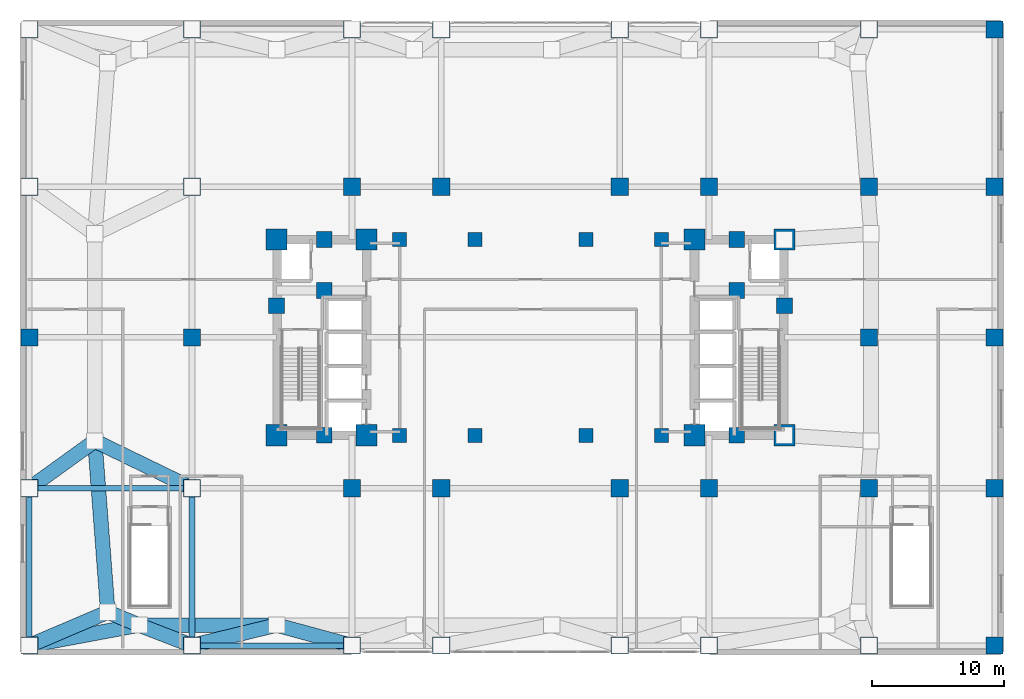
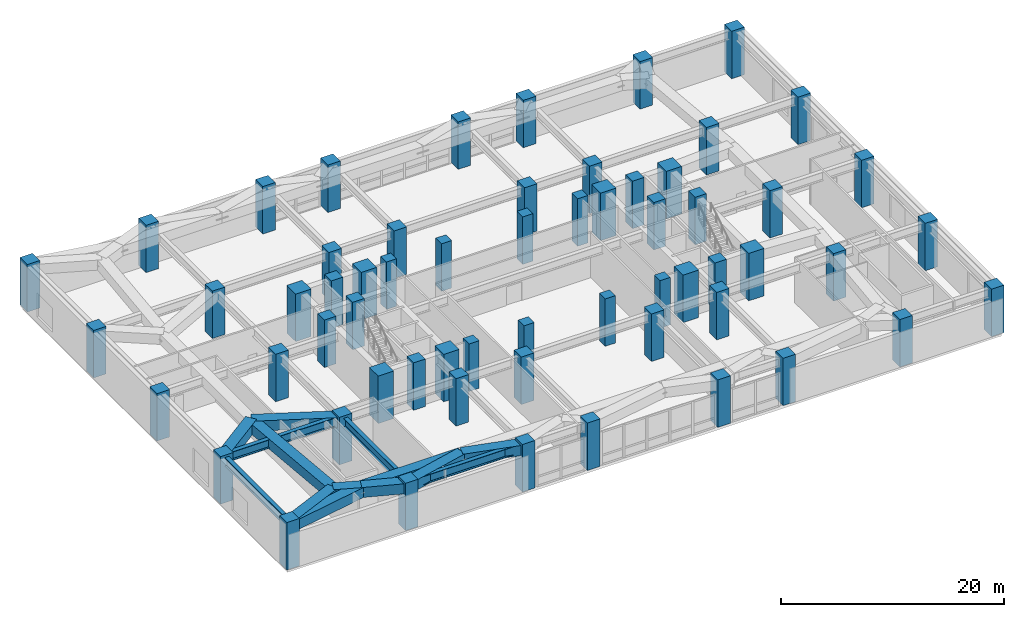
# One storey, part 1 of 20: 60 columns, 14 beams.
"""IFC4 building model written with IfcOpenShell, lengths in metres."""

from ifc_helpers import new_model, si_unit, direction, frame, origin, origin_2d, place, context, subcontext, project, spatial, rectangle, hollow_rectangle, i_section, extrude, material, material_profile, profile_set, type_object, element, save


model = new_model("IFC4")

# Units and contexts
model_context = context("Model", 3, precision=1e-05, world=origin(), true_north=direction((0.0, 1.0)))
body_context = subcontext(model_context, "Body", "Model", "MODEL_VIEW")
ifc_project = project(units=[si_unit("LENGTHUNIT", "METRE"), si_unit("AREAUNIT", "SQUARE_METRE"), si_unit("VOLUMEUNIT", "CUBIC_METRE"), si_unit("PLANEANGLEUNIT", "RADIAN"), si_unit("MASSUNIT", "GRAM", prefix="KILO")], contexts=[model_context])

# Site, building, storey
site_placement = place(None, origin())
site = spatial("IfcSite", under=ifc_project, at=site_placement, CompositionType="ELEMENT")
building_placement = place(site_placement, origin())
building = spatial("IfcBuilding", under=site, at=building_placement, Name="Voryun Gate Residences", CompositionType="ELEMENT")
storey_placement = place(building_placement, frame((0.0, 0.0, 20.800048828125)))
storey = spatial("IfcBuildingStorey", under=building, at=storey_placement, Name="L04", CompositionType="ELEMENT", Elevation=20.800048828125)

# Columns
ifc_material_1 = material(Name="Concrete C50/60", Category="concrete")
ifc_material_profile_1 = material_profile(ifc_material_1, rectangle(XDim=1.050048828125, YDim=1.050048828125, at=origin_2d()), Name="RC-1050x1050")
ifc_profile_set_1 = profile_set([ifc_material_profile_1], Name="Concrete C50/60")
column_type_1 = type_object("IfcColumnType", Name="COL_CORE_1050", PredefinedType="COLUMN", material=ifc_profile_set_1)
for number, where, z_axis, x_axis, name in (
    (1, (-9.89990234375, -7.39990234375, 0.0), (0.0, 0.0, 1.0), (1.0, 0.0, 0.0), "L04 Core collar column CLR-WS"),
    (2, (-9.89990234375, 7.39990234375, 0.0), (0.0, 0.0, 1.0), (1.0, 0.0, 0.0), "L04 Core collar column CLR-WN"),
    (3, (9.89990234375, -7.39990234375, 0.0), (0.0, 0.0, 1.0), (1.0, 0.0, 0.0), "L04 Core collar column CLR-ES"),
    (4, (9.89990234375, 7.39990234375, 0.0), (0.0, 0.0, 1.0), (1.0, 0.0, 0.0), "L04 Core collar column CLR-EN"),
    (5, (-4.199951171875, -7.39990234375, 0.0), (0.0, 0.0, 1.0), (1.0, 0.0, 0.0), "L04 Interior spine column SP-WS"),
    (6, (-4.199951171875, 7.39990234375, 0.0), (0.0, 0.0, 1.0), (1.0, 0.0, 0.0), "L04 Interior spine column SP-WN"),
    (7, (4.199951171875, -7.39990234375, 0.0), (0.0, 0.0, 1.0), (1.0, 0.0, 0.0), "L04 Interior spine column SP-ES"),
    (8, (4.199951171875, 7.39990234375, 0.0), (0.0, 0.0, 1.0), (1.0, 0.0, 0.0), "L04 Interior spine column SP-EN"),
):
    element("IfcColumn", number, at=place(storey_placement, frame(where, z_axis=z_axis, x_axis=x_axis)), inside=storey, type_object=column_type_1, Name=name, PredefinedType="COLUMN", context=body_context, shape_type="SweptSolid", body=[
        extrude(rectangle(XDim=1.050048828125, YDim=1.050048828125, at=origin_2d()), origin(), (0.0, 0.0, 1.0), 5.199951171875),
    ])
ifc_material_2 = material(Name="Concrete C60/75", Category="concrete")
ifc_material_profile_2 = material_profile(ifc_material_2, rectangle(XDim=1.199951171875, YDim=1.199951171875, at=origin_2d()), Name="RC-1200x1200")
ifc_profile_set_2 = profile_set([ifc_material_profile_2], Name="Concrete C60/75")
column_type_2 = type_object("IfcColumnType", Name="COL_CORE_1200", PredefinedType="COLUMN", material=ifc_profile_set_2)
for number, where, z_axis, x_axis, name in (
    (9, (-19.199951171875, 2.39990234375, 0.0), (0.0, 0.0, 1.0), (1.0, 0.0, 0.0), "L04 Core boundary column WC-MW"),
    (10, (-15.60009765625, -7.39990234375, 0.0), (0.0, 0.0, 1.0), (1.0, 0.0, 0.0), "L04 Core boundary column WC-SM"),
    (11, (-15.60009765625, 7.39990234375, 0.0), (0.0, 0.0, 1.0), (1.0, 0.0, 0.0), "L04 Core boundary column WC-NM"),
    (12, (-15.60009765625, 3.550048828125, 0.0), (0.0, 0.0, 1.0), (1.0, 0.0, 0.0), "L04 Core boundary column WC-MM"),
    (13, (15.60009765625, 3.550048828125, 0.0), (0.0, 0.0, 1.0), (1.0, 0.0, 0.0), "L04 Core boundary column EC-MM"),
    (14, (15.60009765625, -7.39990234375, 0.0), (0.0, 0.0, 1.0), (1.0, 0.0, 0.0), "L04 Core boundary column EC-SM"),
    (15, (15.60009765625, 7.39990234375, 0.0), (0.0, 0.0, 1.0), (1.0, 0.0, 0.0), "L04 Core boundary column EC-NM"),
    (16, (19.199951171875, 2.39990234375, 0.0), (0.0, 0.0, 1.0), (1.0, 0.0, 0.0), "L04 Core boundary column EC-ME"),
):
    element("IfcColumn", number, at=place(storey_placement, frame(where, z_axis=z_axis, x_axis=x_axis)), inside=storey, type_object=column_type_2, Name=name, PredefinedType="COLUMN", context=body_context, shape_type="SweptSolid", body=[
        extrude(rectangle(XDim=1.199951171875, YDim=1.199951171875, at=origin_2d()), origin(), (0.0, 0.0, 1.0), 5.199951171875),
    ])
ifc_material_3 = material(Name="Concrete C60/75", Category="concrete")
ifc_material_profile_3 = material_profile(ifc_material_3, rectangle(XDim=1.300048828125, YDim=1.300048828125, at=origin_2d()), Name="RC-1300x1300")
ifc_profile_set_3 = profile_set([ifc_material_profile_3], Name="Concrete C60/75")
column_type_3 = type_object("IfcColumnType", Name="COL_MEGA_1300", PredefinedType="COLUMN", material=ifc_profile_set_3)
for number, where, z_axis, x_axis, name in (
    (17, (-37.89990234375, -23.300048828125, 0.0), (0.0, 0.0, 1.0), (1.0, 0.0, 0.0), "L04 Bridge Deck Column 1-1"),
    (18, (-37.89990234375, -11.39990234375, 0.0), (0.0, 0.0, 1.0), (1.0, 0.0, 0.0), "L04 Bridge Deck Column 1-2"),
    (19, (-37.89990234375, 0.0, 0.0), (0.0, 0.0, 1.0), (1.0, 0.0, 0.0), "L04 Bridge Deck Column 1-3"),
    (20, (-37.89990234375, 11.39990234375, 0.0), (0.0, 0.0, 1.0), (1.0, 0.0, 0.0), "L04 Bridge Deck Column 1-4"),
    (21, (-37.89990234375, 23.300048828125, 0.0), (0.0, 0.0, 1.0), (1.0, 0.0, 0.0), "L04 Bridge Deck Column 1-5"),
    (22, (-25.60009765625, -23.300048828125, 0.0), (0.0, 0.0, 1.0), (1.0, 0.0, 0.0), "L04 Bridge Deck Column 2-1"),
    (23, (-25.60009765625, -11.39990234375, 0.0), (0.0, 0.0, 1.0), (1.0, 0.0, 0.0), "L04 Bridge Deck Column 2-2"),
    (24, (-25.60009765625, 0.0, 0.0), (0.0, 0.0, 1.0), (1.0, 0.0, 0.0), "L04 Bridge Deck Column 2-3"),
    (25, (-25.60009765625, 11.39990234375, 0.0), (0.0, 0.0, 1.0), (1.0, 0.0, 0.0), "L04 Bridge Deck Column 2-4"),
    (26, (-25.60009765625, 23.300048828125, 0.0), (0.0, 0.0, 1.0), (1.0, 0.0, 0.0), "L04 Bridge Deck Column 2-5"),
    (27, (-13.5, -23.300048828125, 0.0), (0.0, 0.0, 1.0), (1.0, 0.0, 0.0), "L04 Bridge Deck Column 3-1"),
    (28, (-13.5, -11.39990234375, 0.0), (0.0, 0.0, 1.0), (1.0, 0.0, 0.0), "L04 Bridge Deck Column 3-2"),
    (29, (-13.5, 11.39990234375, 0.0), (0.0, 0.0, 1.0), (1.0, 0.0, 0.0), "L04 Bridge Deck Column 3-4"),
    (30, (-13.5, 23.300048828125, 0.0), (0.0, 0.0, 1.0), (1.0, 0.0, 0.0), "L04 Bridge Deck Column 3-5"),
    (31, (-6.75, -23.300048828125, 0.0), (0.0, 0.0, 1.0), (1.0, 0.0, 0.0), "L04 Bridge Deck Column 4-1"),
    (32, (-6.75, -11.39990234375, 0.0), (0.0, 0.0, 1.0), (1.0, 0.0, 0.0), "L04 Bridge Deck Column 4-2"),
    (33, (-6.75, 11.39990234375, 0.0), (0.0, 0.0, 1.0), (1.0, 0.0, 0.0), "L04 Bridge Deck Column 4-4"),
    (34, (-6.75, 23.300048828125, 0.0), (0.0, 0.0, 1.0), (1.0, 0.0, 0.0), "L04 Bridge Deck Column 4-5"),
    (35, (6.75, -23.300048828125, 0.0), (0.0, 0.0, 1.0), (1.0, 0.0, 0.0), "L04 Bridge Deck Column 5-1"),
    (36, (6.75, -11.39990234375, 0.0), (0.0, 0.0, 1.0), (1.0, 0.0, 0.0), "L04 Bridge Deck Column 5-2"),
    (37, (6.75, 11.39990234375, 0.0), (0.0, 0.0, 1.0), (1.0, 0.0, 0.0), "L04 Bridge Deck Column 5-4"),
    (38, (6.75, 23.300048828125, 0.0), (0.0, 0.0, 1.0), (1.0, 0.0, 0.0), "L04 Bridge Deck Column 5-5"),
    (39, (13.5, -23.300048828125, 0.0), (0.0, 0.0, 1.0), (1.0, 0.0, 0.0), "L04 Bridge Deck Column 6-1"),
    (40, (13.5, -11.39990234375, 0.0), (0.0, 0.0, 1.0), (1.0, 0.0, 0.0), "L04 Bridge Deck Column 6-2"),
    (41, (13.5, 11.39990234375, 0.0), (0.0, 0.0, 1.0), (1.0, 0.0, 0.0), "L04 Bridge Deck Column 6-4"),
    (42, (13.5, 23.300048828125, 0.0), (0.0, 0.0, 1.0), (1.0, 0.0, 0.0), "L04 Bridge Deck Column 6-5"),
    (43, (25.60009765625, -23.300048828125, 0.0), (0.0, 0.0, 1.0), (1.0, 0.0, 0.0), "L04 Bridge Deck Column 7-1"),
    (44, (25.60009765625, -11.39990234375, 0.0), (0.0, 0.0, 1.0), (1.0, 0.0, 0.0), "L04 Bridge Deck Column 7-2"),
    (45, (25.60009765625, 0.0, 0.0), (0.0, 0.0, 1.0), (1.0, 0.0, 0.0), "L04 Bridge Deck Column 7-3"),
    (46, (25.60009765625, 11.39990234375, 0.0), (0.0, 0.0, 1.0), (1.0, 0.0, 0.0), "L04 Bridge Deck Column 7-4"),
    (47, (25.60009765625, 23.300048828125, 0.0), (0.0, 0.0, 1.0), (1.0, 0.0, 0.0), "L04 Bridge Deck Column 7-5"),
    (48, (35.10009765625, -23.300048828125, 0.0), (0.0, 0.0, 1.0), (1.0, 0.0, 0.0), "L04 Bridge Deck Column 8-1"),
    (49, (35.10009765625, -11.39990234375, 0.0), (0.0, 0.0, 1.0), (1.0, 0.0, 0.0), "L04 Bridge Deck Column 8-2"),
    (50, (35.10009765625, 0.0, 0.0), (0.0, 0.0, 1.0), (1.0, 0.0, 0.0), "L04 Bridge Deck Column 8-3"),
    (51, (35.10009765625, 11.39990234375, 0.0), (0.0, 0.0, 1.0), (1.0, 0.0, 0.0), "L04 Bridge Deck Column 8-4"),
    (52, (35.10009765625, 23.300048828125, 0.0), (0.0, 0.0, 1.0), (1.0, 0.0, 0.0), "L04 Bridge Deck Column 8-5"),
):
    element("IfcColumn", number, at=place(storey_placement, frame(where, z_axis=z_axis, x_axis=x_axis)), inside=storey, type_object=column_type_3, Name=name, PredefinedType="COLUMN", context=body_context, shape_type="SweptSolid", body=[
        extrude(rectangle(XDim=1.300048828125, YDim=1.300048828125, at=origin_2d()), origin(), (0.0, 0.0, 1.0), 5.199951171875),
    ])
ifc_material_4 = material(Name="Concrete C60/75", Category="concrete")
ifc_material_profile_4 = material_profile(ifc_material_4, rectangle(XDim=1.60009765625, YDim=1.60009765625, at=origin_2d()), Name="RC-1600x1600")
ifc_profile_set_4 = profile_set([ifc_material_profile_4], Name="Concrete C60/75")
column_type_4 = type_object("IfcColumnType", Name="COL_MEGA_1600", PredefinedType="COLUMN", material=ifc_profile_set_4)
for number, where, z_axis, x_axis, name in (
    (53, (-19.199951171875, -7.39990234375, 0.0), (0.0, 0.0, 1.0), (1.0, 0.0, 0.0), "L04 Core boundary column WC-SW"),
    (54, (-19.199951171875, 7.39990234375, 0.0), (0.0, 0.0, 1.0), (1.0, 0.0, 0.0), "L04 Core boundary column WC-NW"),
    (55, (-12.39990234375, -7.39990234375, 0.0), (0.0, 0.0, 1.0), (1.0, 0.0, 0.0), "L04 Core boundary column WC-SE"),
    (56, (-12.39990234375, 7.39990234375, 0.0), (0.0, 0.0, 1.0), (1.0, 0.0, 0.0), "L04 Core boundary column WC-NE"),
    (57, (12.39990234375, -7.39990234375, 0.0), (0.0, 0.0, 1.0), (1.0, 0.0, 0.0), "L04 Core boundary column EC-SW"),
    (58, (12.39990234375, 7.39990234375, 0.0), (0.0, 0.0, 1.0), (1.0, 0.0, 0.0), "L04 Core boundary column EC-NW"),
    (59, (19.199951171875, -7.39990234375, 0.0), (0.0, 0.0, 1.0), (1.0, 0.0, 0.0), "L04 Core boundary column EC-SE"),
    (60, (19.199951171875, 7.39990234375, 0.0), (0.0, 0.0, 1.0), (1.0, 0.0, 0.0), "L04 Core boundary column EC-NE"),
):
    element("IfcColumn", number, at=place(storey_placement, frame(where, z_axis=z_axis, x_axis=x_axis)), inside=storey, type_object=column_type_4, Name=name, PredefinedType="COLUMN", context=body_context, shape_type="SweptSolid", body=[
        extrude(rectangle(XDim=1.60009765625, YDim=1.60009765625, at=origin_2d()), origin(), (0.0, 0.0, 1.0), 5.199951171875),
    ])

# Beams
ifc_material_5 = material(Name="Steel SM420", Category="steel")
ifc_material_profile_5 = material_profile(ifc_material_5, hollow_rectangle(XDim=1.10009765625, YDim=1.10009765625, WallThickness=0.035888671875, at=origin_2d()), Name="BOX-1100x1100x36")
ifc_profile_set_5 = profile_set([ifc_material_profile_5], Name="Steel SM420")
beam_type_1 = type_object("IfcBeamType", Name="BM_ARCH_RIB", PredefinedType="USERDEFINED", material=ifc_profile_set_5)
beam_1_placement = place(storey_placement, frame((-29.60009765625, -21.75, 4.39990234375), z_axis=(1.0, 0.0, 0.0), x_axis=(0.0, 1.0, 0.0)))
element("IfcBeam", 61, at=beam_1_placement, inside=storey, type_object=beam_type_1, Name="BM-L04-B1RING-01", ObjectType="GIRDER", PredefinedType="USERDEFINED", context=body_context, shape_type="SweptSolid", body=[
    extrude(hollow_rectangle(XDim=1.10009765625, YDim=1.10009765625, WallThickness=0.035888671875, at=origin_2d()), origin(), (0.0, 0.0, 1.0), 10.400146484375),
])
beam_2_placement = place(storey_placement, frame((-32.949951171875, -7.830078125, 4.39990234375), z_axis=(0.075617360159, -0.997136908776, 0.0), x_axis=(0.997136908776, 0.075617360159, 0.0)))
element("IfcBeam", 62, at=beam_2_placement, inside=storey, type_object=beam_type_1, Name="BM-L04-B1RING-19", ObjectType="GIRDER", PredefinedType="USERDEFINED", context=body_context, shape_type="SweptSolid", body=[
    extrude(hollow_rectangle(XDim=1.10009765625, YDim=1.10009765625, WallThickness=0.035888671875, at=origin_2d()), origin(), (0.0, 0.0, 1.0), 12.975830078125),
])
beam_3_placement = place(storey_placement, frame((-31.96875, -20.768798828125, 4.39990234375), z_axis=(0.92386943149, -0.382707817477, 0.0), x_axis=(0.382707817477, 0.92386943149, 0.0)))
element("IfcBeam", 63, at=beam_3_placement, inside=storey, type_object=beam_type_1, Name="BM-L04-B1RING-20", ObjectType="GIRDER", PredefinedType="USERDEFINED", context=body_context, shape_type="SweptSolid", body=[
    extrude(hollow_rectangle(XDim=1.10009765625, YDim=1.10009765625, WallThickness=0.035888671875, at=origin_2d()), origin(), (0.0, 0.0, 1.0), 2.563720703125),
])
beam_4_placement = place(storey_placement, frame((-25.60009765625, -23.300048828125, 4.39990234375), z_axis=(-0.932437630313, 0.361330964042, 0.0), x_axis=(-0.361330964042, -0.932437630313, 0.0)))
element("IfcBeam", 64, at=beam_4_placement, inside=storey, type_object=beam_type_1, Name="BM-L04-B1RAD1-S1", ObjectType="GIRDER", PredefinedType="USERDEFINED", context=body_context, shape_type="SweptSolid", body=[
    extrude(hollow_rectangle(XDim=1.10009765625, YDim=1.10009765625, WallThickness=0.035888671875, at=origin_2d()), origin(), (0.0, 0.0, 1.0), 4.289794921875),
])
beam_5_placement = place(storey_placement, frame((-37.89990234375, -23.300048828125, 4.39990234375), z_axis=(0.983004180397, 0.183583172766, 0.0), x_axis=(-0.183583172766, 0.983004180397, 0.0)))
element("IfcBeam", 65, at=beam_5_placement, inside=storey, type_object=beam_type_1, Name="BM-L04-B1RAD2-S1", ObjectType="GIRDER", PredefinedType="USERDEFINED", context=body_context, shape_type="SweptSolid", body=[
    extrude(hollow_rectangle(XDim=1.10009765625, YDim=1.10009765625, WallThickness=0.035888671875, at=origin_2d()), origin(), (0.0, 0.0, 1.0), 8.443359375),
])
beam_6_placement = place(storey_placement, frame((-13.5, -23.300048828125, 4.39990234375), z_axis=(-0.964956228913, 0.262410892079, 0.0), x_axis=(-0.262410892079, -0.964956228913, 0.0)))
element("IfcBeam", 66, at=beam_6_placement, inside=storey, type_object=beam_type_1, Name="BM-L04-B1RAD1-S2", ObjectType="GIRDER", PredefinedType="USERDEFINED", context=body_context, shape_type="SweptSolid", body=[
    extrude(hollow_rectangle(XDim=1.10009765625, YDim=1.10009765625, WallThickness=0.035888671875, at=origin_2d()), origin(), (0.0, 0.0, 1.0), 5.906982421875),
])
beam_7_placement = place(storey_placement, frame((-25.60009765625, -23.300048828125, 4.39990234375), z_axis=(0.971902300927, 0.235384616006, 0.0), x_axis=(-0.235384616006, 0.971902300927, 0.0)))
element("IfcBeam", 67, at=beam_7_placement, inside=storey, type_object=beam_type_1, Name="BM-L04-B1RAD2-S2", ObjectType="GIRDER", PredefinedType="USERDEFINED", context=body_context, shape_type="SweptSolid", body=[
    extrude(hollow_rectangle(XDim=1.10009765625, YDim=1.10009765625, WallThickness=0.035888671875, at=origin_2d()), origin(), (0.0, 0.0, 1.0), 6.585205078125),
])
beam_8_placement = place(storey_placement, frame((-37.89990234375, -11.39990234375, 4.39990234375), z_axis=(0.811078834854, 0.584936854414, 0.0), x_axis=(-0.584936854414, 0.811078834854, 0.0)))
element("IfcBeam", 68, at=beam_8_placement, inside=storey, type_object=beam_type_1, Name="BM-L04-B1RAD1-W2", ObjectType="GIRDER", PredefinedType="USERDEFINED", context=body_context, shape_type="SweptSolid", body=[
    extrude(hollow_rectangle(XDim=1.10009765625, YDim=1.10009765625, WallThickness=0.035888671875, at=origin_2d()), origin(), (0.0, 0.0, 1.0), 6.10302734375),
])
beam_9_placement = place(storey_placement, frame((-25.60009765625, -11.39990234375, 4.39990234375), z_axis=(-0.89951319101, 0.436893601692, 0.0), x_axis=(-0.436893601692, -0.89951319101, 0.0)))
element("IfcBeam", 69, at=beam_9_placement, inside=storey, type_object=beam_type_1, Name="BM-L04-B1RAD2-W2", ObjectType="GIRDER", PredefinedType="USERDEFINED", context=body_context, shape_type="SweptSolid", body=[
    extrude(hollow_rectangle(XDim=1.10009765625, YDim=1.10009765625, WallThickness=0.035888671875, at=origin_2d()), origin(), (0.0, 0.0, 1.0), 8.1708984375),
])
beam_10_placement = place(storey_placement, frame((-37.89990234375, -23.300048828125, 4.39990234375), z_axis=(0.919743180993, 0.392520675909, 0.0), x_axis=(-0.392520675909, 0.919743180993, 0.0)))
element("IfcBeam", 70, at=beam_10_placement, inside=storey, type_object=beam_type_1, Name="BM-L04-B1RAD1-CSW", ObjectType="GIRDER", PredefinedType="USERDEFINED", context=body_context, shape_type="SweptSolid", body=[
    extrude(hollow_rectangle(XDim=1.10009765625, YDim=1.10009765625, WallThickness=0.035888671875, at=origin_2d()), origin(), (0.0, 0.0, 1.0), 6.44873046875),
])
ifc_material_6 = material(Name="Steel SM420", Category="steel")
ifc_material_profile_6 = material_profile(ifc_material_6, i_section(OverallWidth=0.419921875, OverallDepth=0.949951171875, WebThickness=0.02001953125, FlangeThickness=0.035888671875, FilletRadius=0.01806640625, at=origin_2d()), Name="H-950x420x20x36")
ifc_profile_set_6 = profile_set([ifc_material_profile_6], Name="Steel SM420")
beam_type_2 = type_object("IfcBeamType", Name="BM_XFER_950", PredefinedType="USERDEFINED", material=ifc_profile_set_6)
beam_11_placement = place(storey_placement, frame((-25.60009765625, -23.300048828125, 4.474853515625), z_axis=(1.0, 0.0, 0.0), x_axis=(0.0, 1.0, 0.0)))
element("IfcBeam", 71, at=beam_11_placement, inside=storey, type_object=beam_type_2, Name="BM-L04-GX--23.3-1", ObjectType="GIRDER", PredefinedType="USERDEFINED", context=body_context, shape_type="SweptSolid", body=[
    extrude(i_section(OverallWidth=0.419921875, OverallDepth=0.949951171875, WebThickness=0.02001953125, FlangeThickness=0.035888671875, FilletRadius=0.01806640625, at=origin_2d()), origin(), (0.0, 0.0, 1.0), 12.10009765625),
])
beam_12_placement = place(storey_placement, frame((-37.89990234375, -11.39990234375, 4.474853515625), z_axis=(1.0, 0.0, 0.0), x_axis=(0.0, 1.0, 0.0)))
element("IfcBeam", 72, at=beam_12_placement, inside=storey, type_object=beam_type_2, Name="BM-L04-GX--11.4-0", ObjectType="GIRDER", PredefinedType="USERDEFINED", context=body_context, shape_type="SweptSolid", body=[
    extrude(i_section(OverallWidth=0.419921875, OverallDepth=0.949951171875, WebThickness=0.02001953125, FlangeThickness=0.035888671875, FilletRadius=0.01806640625, at=origin_2d()), origin(), (0.0, 0.0, 1.0), 12.2998046875),
])
for number, where, z_axis, x_axis, name in (
    (73, (-37.89990234375, -23.300048828125, 4.474853515625), (0.0, 1.0, 0.0), (-1.0, 0.0, 0.0), "BM-L04-GY--37.9-0"),
    (74, (-25.60009765625, -23.300048828125, 4.474853515625), (0.0, 1.0, 0.0), (-1.0, 0.0, 0.0), "BM-L04-GY--25.6-0"),
):
    element("IfcBeam", number, at=place(storey_placement, frame(where, z_axis=z_axis, x_axis=x_axis)), inside=storey, type_object=beam_type_2, Name=name, ObjectType="GIRDER", PredefinedType="USERDEFINED", context=body_context, shape_type="SweptSolid", body=[
        extrude(i_section(OverallWidth=0.419921875, OverallDepth=0.949951171875, WebThickness=0.02001953125, FlangeThickness=0.035888671875, FilletRadius=0.01806640625, at=origin_2d()), origin(), (0.0, 0.0, 1.0), 11.900146484375),
    ])

save(model, "model.ifc")
